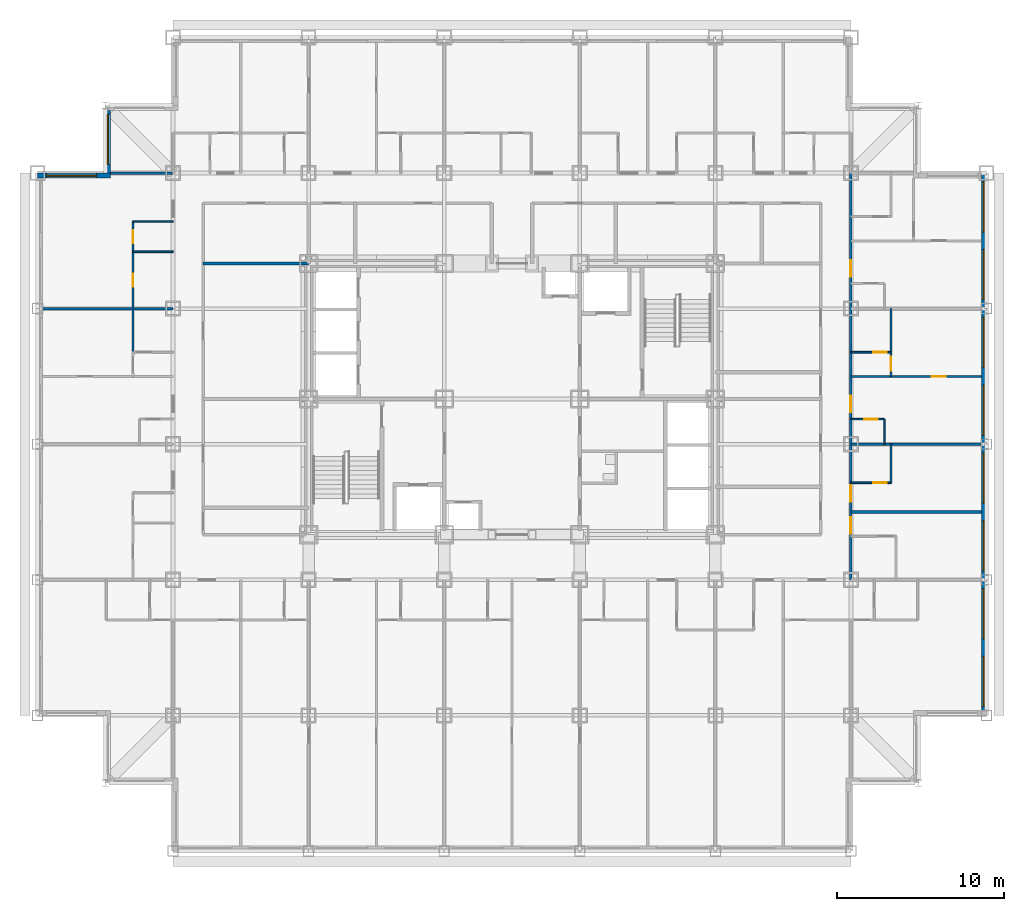
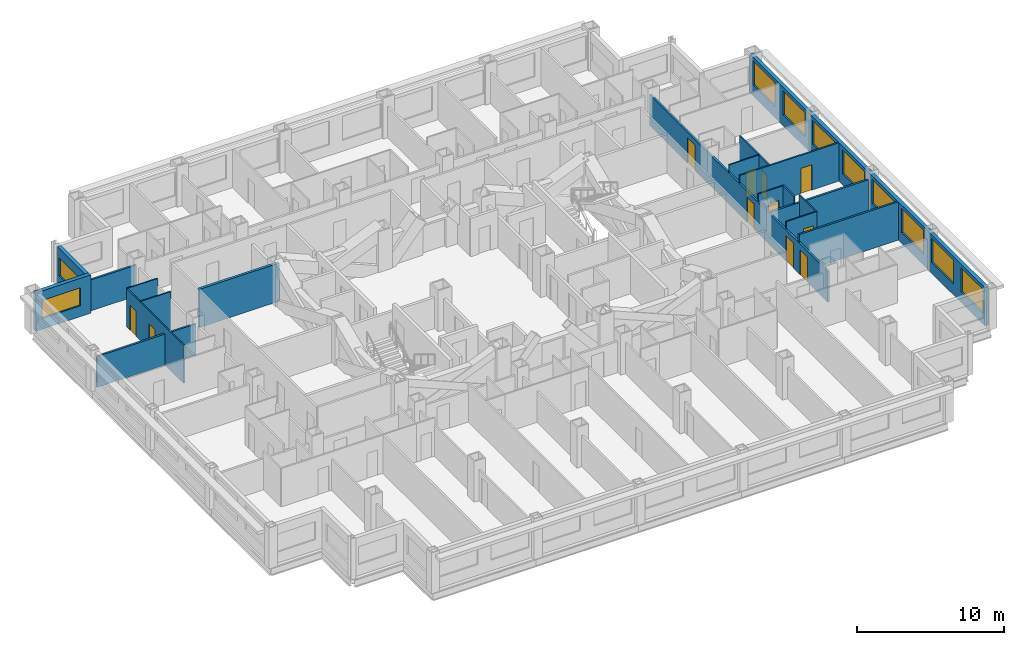
# One storey, part 8 of 14: 20 walls, 11 doors, 10 windows, 21 openings.
"""IFC4 building model written with IfcOpenShell, lengths in metres."""

from ifc_helpers import new_model, si_unit, direction, frame, frame_2d, origin, place, context, subcontext, project, spatial, rectangle, extrude, material, layer, layer_set, type_object, element, fill, save


model = new_model("IFC4")

# Units and contexts
model_context = context("Model", 3, precision=1e-05, world=origin(), true_north=direction((0.0, 1.0)))
body_context = subcontext(model_context, "Body", "Model", "MODEL_VIEW")
ifc_project = project(units=[si_unit("LENGTHUNIT", "METRE"), si_unit("AREAUNIT", "SQUARE_METRE"), si_unit("VOLUMEUNIT", "CUBIC_METRE"), si_unit("PLANEANGLEUNIT", "RADIAN"), si_unit("MASSUNIT", "GRAM", prefix="KILO")], contexts=[model_context])

# Site, building, storey
site_placement = place(None, origin())
site = spatial("IfcSite", under=ifc_project, at=site_placement, CompositionType="ELEMENT")
building_placement = place(site_placement, origin())
building = spatial("IfcBuilding", under=site, at=building_placement, Name="Kopane Lantern Tower", CompositionType="ELEMENT")
storey_placement = place(building_placement, frame((0.0, 0.0, 123.800048828125)))
storey = spatial("IfcBuildingStorey", under=building, at=storey_placement, Name="L31", CompositionType="ELEMENT", Elevation=123.800048828125)

# Wall, opening, door
ifc_material_1 = material(Name="Gypsum board on steel studs", Category="steel")
ifc_layer_1 = layer(ifc_material_1, 0.1201171875)
ifc_layer_set_1 = layer_set([ifc_layer_1], Name="APARTMENT INTERNAL WALL 120")
wall_type_1 = type_object("IfcWallType", Name="APARTMENT INTERNAL WALL 120", PredefinedType="PARTITIONING", material=ifc_layer_set_1)
wall_1_placement = place(storey_placement, frame((48.60009765625, 33.75, 0.0), z_axis=(0.0, 0.0, 1.0), x_axis=(1.0, 0.0, 0.0)))
wall_1 = element("IfcWall", 1, at=wall_1_placement, inside=storey, type_object=wall_type_1, Name="Apartment Internal Wall 120 L31", PredefinedType="PARTITIONING", context=body_context, shape_type="SweptSolid", body=[
    extrude(rectangle(XDim=7.7998046875, YDim=0.1201171875, at=frame_2d((3.89990234375, 0.0))), origin(), (0.0, 0.0, 1.0), 3.18994140625),
])
opening_1_placement = place(wall_1_placement, frame((4.824951171875, 0.0, 0.0)))
opening_1 = element("IfcOpeningElement", 2, at=opening_1_placement, cuts=wall_1, Name="Opening L31-060", PredefinedType="OPENING", context=body_context, shape_type="SweptSolid", body=[
    extrude(rectangle(XDim=0.85009765625, YDim=2.10009765625, at=frame_2d((0.425048828125, 1.050048828125))), frame((0.0, 0.070068359375, 0.0), z_axis=(0.0, -1.0, 0.0), x_axis=(1.0, 0.0, 0.0)), (0.0, 0.0, 1.0), 0.14013671875),
])
ifc_material_2 = material(Name="Timber door set", Category="wood")
door_type_1 = type_object("IfcDoorType", Name="DOOR D4 850x2100", OperationType="SINGLE_SWING_LEFT", PredefinedType="DOOR", material=ifc_material_2)
door_1_placement = place(opening_1_placement, origin())
door_1 = element("IfcDoor", 3, at=door_1_placement, inside=storey, type_object=door_type_1, Name="Door L31-060", OperationType="SINGLE_SWING_LEFT", OverallHeight=2.10009765625, OverallWidth=0.85009765625, PredefinedType="DOOR", context=body_context, shape_type="SweptSolid", body=[
    extrude(rectangle(XDim=0.85009765625, YDim=2.10009765625, at=frame_2d((0.425048828125, 1.050048828125))), frame((0.0, 0.02490234375, 0.0), z_axis=(0.0, -1.0, 0.0), x_axis=(1.0, 0.0, 0.0)), (0.0, 0.0, 1.0), 0.050048828125),
])
fill(opening_1, door_1)

wall_2_placement = place(storey_placement, frame((51.0, 35.2099609375, 0.0), z_axis=(0.0, 0.0, 1.0), x_axis=(0.0, -1.0, 0.0)))
wall_2 = element("IfcWall", 4, at=wall_2_placement, inside=storey, type_object=wall_type_1, Name="Apartment Internal Wall 120 L31", PredefinedType="PARTITIONING", context=body_context, shape_type="SweptSolid", body=[
    extrude(rectangle(XDim=1.4599609375, YDim=0.1201171875, at=frame_2d((0.72998046875, 0.0))), origin(), (0.0, 0.0, 1.0), 3.18994140625),
])
opening_2_placement = place(wall_2_placement, frame((0.27490234375, 0.0, 0.0)))
opening_2 = element("IfcOpeningElement", 5, at=opening_2_placement, cuts=wall_2, Name="Opening L31-086", PredefinedType="OPENING", context=body_context, shape_type="SweptSolid", body=[
    extrude(rectangle(XDim=0.85009765625, YDim=2.10009765625, at=frame_2d((0.425048828125, 1.050048828125))), frame((0.0, 0.070068359375, 0.0), z_axis=(0.0, -1.0, 0.0), x_axis=(1.0, 0.0, 0.0)), (0.0, 0.0, 1.0), 0.14013671875),
])
door_2_placement = place(opening_2_placement, origin())
door_2 = element("IfcDoor", 6, at=door_2_placement, inside=storey, type_object=door_type_1, Name="Door L31-086", OperationType="SINGLE_SWING_RIGHT", OverallHeight=2.10009765625, OverallWidth=0.85009765625, PredefinedType="DOOR", context=body_context, shape_type="SweptSolid", body=[
    extrude(rectangle(XDim=0.85009765625, YDim=2.10009765625, at=frame_2d((0.425048828125, 1.050048828125))), frame((0.0, 0.02490234375, 0.0), z_axis=(0.0, -1.0, 0.0), x_axis=(1.0, 0.0, 0.0)), (0.0, 0.0, 1.0), 0.050048828125),
])
fill(opening_2, door_2)

# Wall, openings, doors
ifc_material_3 = material(Name="Moisture-resistant board on steel studs", Category="steel")
ifc_layer_2 = layer(ifc_material_3, 0.10009765625)
ifc_layer_set_2 = layer_set([ifc_layer_2], Name="BATHROOM WALL 100")
wall_type_2 = type_object("IfcWallType", Name="BATHROOM WALL 100", PredefinedType="PARTITIONING", material=ifc_layer_set_2)
wall_3_placement = place(storey_placement, frame((5.699951171875, 35.199951171875, 0.0), z_axis=(0.0, 0.0, 1.0), x_axis=(0.0, 1.0, 0.0)))
wall_3 = element("IfcWall", 7, at=wall_3_placement, inside=storey, type_object=wall_type_2, Name="Bathroom Wall 100 L31", PredefinedType="PARTITIONING", context=body_context, shape_type="SweptSolid", body=[
    extrude(rectangle(XDim=7.800048828125, YDim=0.10009765625, at=frame_2d((3.89990234375, 0.0))), origin(), (0.0, 0.0, 1.0), 3.18994140625),
])
opening_3_placement = place(wall_3_placement, frame((3.89990234375, 0.0, 0.0)))
opening_3 = element("IfcOpeningElement", 8, at=opening_3_placement, cuts=wall_3, Name="Opening L31-050", PredefinedType="OPENING", context=body_context, shape_type="SweptSolid", body=[
    extrude(rectangle(XDim=0.800048828125, YDim=2.10009765625, at=frame_2d((0.39990234375, 1.050048828125))), frame((0.0, 0.06005859375, 0.0), z_axis=(0.0, -1.0, 0.0), x_axis=(1.0, 0.0, 0.0)), (0.0, 0.0, 1.0), 0.1201171875),
])
opening_4_placement = place(wall_3_placement, frame((6.5, 0.0, 0.0)))
opening_4 = element("IfcOpeningElement", 9, at=opening_4_placement, cuts=wall_3, Name="Opening L31-051", PredefinedType="OPENING", context=body_context, shape_type="SweptSolid", body=[
    extrude(rectangle(XDim=0.800048828125, YDim=2.10009765625, at=frame_2d((0.39990234375, 1.050048828125))), frame((0.0, 0.06005859375, 0.0), z_axis=(0.0, -1.0, 0.0), x_axis=(1.0, 0.0, 0.0)), (0.0, 0.0, 1.0), 0.1201171875),
])
ifc_material_4 = material(Name="Timber door set", Category="wood")
door_type_2 = type_object("IfcDoorType", Name="DOOR D2 800x2100", OperationType="SINGLE_SWING_LEFT", PredefinedType="DOOR", material=ifc_material_4)
door_3_placement = place(opening_3_placement, origin())
door_3 = element("IfcDoor", 10, at=door_3_placement, inside=storey, type_object=door_type_2, Name="Door L31-050", OperationType="SINGLE_SWING_LEFT", OverallHeight=2.10009765625, OverallWidth=0.800048828125, PredefinedType="DOOR", context=body_context, shape_type="SweptSolid", body=[
    extrude(rectangle(XDim=0.800048828125, YDim=2.10009765625, at=frame_2d((0.39990234375, 1.050048828125))), frame((0.0, 0.02490234375, 0.0), z_axis=(0.0, -1.0, 0.0), x_axis=(1.0, 0.0, 0.0)), (0.0, 0.0, 1.0), 0.050048828125),
])
fill(opening_3, door_3)
door_4_placement = place(opening_4_placement, origin())
door_4 = element("IfcDoor", 11, at=door_4_placement, inside=storey, type_object=door_type_2, Name="Door L31-051", OperationType="SINGLE_SWING_LEFT", OverallHeight=2.10009765625, OverallWidth=0.800048828125, PredefinedType="DOOR", context=body_context, shape_type="SweptSolid", body=[
    extrude(rectangle(XDim=0.800048828125, YDim=2.10009765625, at=frame_2d((0.39990234375, 1.050048828125))), frame((0.0, 0.02490234375, 0.0), z_axis=(0.0, -1.0, 0.0), x_axis=(1.0, 0.0, 0.0)), (0.0, 0.0, 1.0), 0.050048828125),
])
fill(opening_4, door_4)

# Walls
for number, where, z_axis, x_axis, name in (
    (12, (8.10009765625, 41.199951171875, 0.0), (0.0, 0.0, 1.0), (-1.0, 0.0, 0.0), "Bathroom Wall 100 L31"),
    (13, (8.10009765625, 43.0, 0.0), (0.0, 0.0, 1.0), (-1.0, 0.0, 0.0), "Bathroom Wall 100 L31"),
):
    element("IfcWall", number, at=place(storey_placement, frame(where, z_axis=z_axis, x_axis=x_axis)), inside=storey, type_object=wall_type_2, Name=name, PredefinedType="PARTITIONING", context=body_context, shape_type="SweptSolid", body=[
        extrude(rectangle(XDim=2.400146484375, YDim=0.10009765625, at=frame_2d((1.2001953125, 0.0))), origin(), (0.0, 0.0, 1.0), 3.18994140625),
    ])
wall_4_placement = place(storey_placement, frame((51.0, 27.39990234375, 0.0), z_axis=(0.0, 0.0, 1.0), x_axis=(0.0, 1.0, 0.0)))
element("IfcWall", 14, at=wall_4_placement, inside=storey, type_object=wall_type_2, Name="Bathroom Wall 100 L31", PredefinedType="PARTITIONING", context=body_context, shape_type="SweptSolid", body=[
    extrude(rectangle(XDim=2.300048828125, YDim=0.10009765625, at=frame_2d((1.14990234375, 0.0))), origin(), (0.0, 0.0, 1.0), 3.18994140625),
])

# Wall, opening, door
wall_5_placement = place(storey_placement, frame((48.60009765625, 27.39990234375, 0.0), z_axis=(0.0, 0.0, 1.0), x_axis=(1.0, 0.0, 0.0)))
wall_5 = element("IfcWall", 15, at=wall_5_placement, inside=storey, type_object=wall_type_2, Name="Bathroom Wall 100 L31", PredefinedType="PARTITIONING", context=body_context, shape_type="SweptSolid", body=[
    extrude(rectangle(XDim=2.39990234375, YDim=0.10009765625, at=frame_2d((1.199951171875, 0.0))), origin(), (0.0, 0.0, 1.0), 3.18994140625),
])
opening_5_placement = place(wall_5_placement, frame((1.35009765625, 0.0, 0.0)))
opening_5 = element("IfcOpeningElement", 16, at=opening_5_placement, cuts=wall_5, Name="Opening L31-055", PredefinedType="OPENING", context=body_context, shape_type="SweptSolid", body=[
    extrude(rectangle(XDim=0.800048828125, YDim=2.10009765625, at=frame_2d((0.39990234375, 1.050048828125))), frame((0.0, 0.06005859375, 0.0), z_axis=(0.0, -1.0, 0.0), x_axis=(1.0, 0.0, 0.0)), (0.0, 0.0, 1.0), 0.1201171875),
])
door_5_placement = place(opening_5_placement, origin())
door_5 = element("IfcDoor", 17, at=door_5_placement, inside=storey, type_object=door_type_2, Name="Door L31-055", OperationType="SINGLE_SWING_RIGHT", OverallHeight=2.10009765625, OverallWidth=0.800048828125, PredefinedType="DOOR", context=body_context, shape_type="SweptSolid", body=[
    extrude(rectangle(XDim=0.800048828125, YDim=2.10009765625, at=frame_2d((0.39990234375, 1.050048828125))), frame((0.0, 0.02490234375, 0.0), z_axis=(0.0, -1.0, 0.0), x_axis=(1.0, 0.0, 0.0)), (0.0, 0.0, 1.0), 0.050048828125),
])
fill(opening_5, door_5)

# Wall
wall_6_placement = place(storey_placement, frame((50.60009765625, 29.699951171875, 0.0), z_axis=(0.0, 0.0, 1.0), x_axis=(0.0, 1.0, 0.0)))
element("IfcWall", 18, at=wall_6_placement, inside=storey, type_object=wall_type_2, Name="Bathroom Wall 100 L31", PredefinedType="PARTITIONING", context=body_context, shape_type="SweptSolid", body=[
    extrude(rectangle(XDim=1.5, YDim=0.10009765625, at=frame_2d((0.75, 0.0))), origin(), (0.0, 0.0, 1.0), 3.18994140625),
])

# Wall, opening, door
wall_7_placement = place(storey_placement, frame((48.60009765625, 31.199951171875, 0.0), z_axis=(0.0, 0.0, 1.0), x_axis=(1.0, 0.0, 0.0)))
wall_7 = element("IfcWall", 19, at=wall_7_placement, inside=storey, type_object=wall_type_2, Name="Bathroom Wall 100 L31", PredefinedType="PARTITIONING", context=body_context, shape_type="SweptSolid", body=[
    extrude(rectangle(XDim=2.0, YDim=0.10009765625, at=frame_2d((1.0, 0.0))), origin(), (0.0, 0.0, 1.0), 3.18994140625),
])
opening_6_placement = place(wall_7_placement, frame((0.800048828125, 0.0, 0.0)))
opening_6 = element("IfcOpeningElement", 20, at=opening_6_placement, cuts=wall_7, Name="Opening L31-057", PredefinedType="OPENING", context=body_context, shape_type="SweptSolid", body=[
    extrude(rectangle(XDim=0.800048828125, YDim=2.10009765625, at=frame_2d((0.39990234375, 1.050048828125))), frame((0.0, 0.06005859375, 0.0), z_axis=(0.0, -1.0, 0.0), x_axis=(1.0, 0.0, 0.0)), (0.0, 0.0, 1.0), 0.1201171875),
])
door_6_placement = place(opening_6_placement, origin())
door_6 = element("IfcDoor", 21, at=door_6_placement, inside=storey, type_object=door_type_2, Name="Door L31-057", OperationType="SINGLE_SWING_LEFT", OverallHeight=2.10009765625, OverallWidth=0.800048828125, PredefinedType="DOOR", context=body_context, shape_type="SweptSolid", body=[
    extrude(rectangle(XDim=0.800048828125, YDim=2.10009765625, at=frame_2d((0.39990234375, 1.050048828125))), frame((0.0, 0.02490234375, 0.0), z_axis=(0.0, -1.0, 0.0), x_axis=(1.0, 0.0, 0.0)), (0.0, 0.0, 1.0), 0.050048828125),
])
fill(opening_6, door_6)

# Wall
wall_8_placement = place(storey_placement, frame((51.0, 35.199951171875, 0.0), z_axis=(0.0, 0.0, 1.0), x_axis=(0.0, 1.0, 0.0)))
element("IfcWall", 22, at=wall_8_placement, inside=storey, type_object=wall_type_2, Name="Bathroom Wall 100 L31", PredefinedType="PARTITIONING", context=body_context, shape_type="SweptSolid", body=[
    extrude(rectangle(XDim=2.60009765625, YDim=0.10009765625, at=frame_2d((1.300048828125, 0.0))), origin(), (0.0, 0.0, 1.0), 3.18994140625),
])

# Wall, opening, door
wall_9_placement = place(storey_placement, frame((48.60009765625, 35.199951171875, 0.0), z_axis=(0.0, 0.0, 1.0), x_axis=(1.0, 0.0, 0.0)))
wall_9 = element("IfcWall", 23, at=wall_9_placement, inside=storey, type_object=wall_type_2, Name="Bathroom Wall 100 L31", PredefinedType="PARTITIONING", context=body_context, shape_type="SweptSolid", body=[
    extrude(rectangle(XDim=2.39990234375, YDim=0.10009765625, at=frame_2d((1.199951171875, 0.0))), origin(), (0.0, 0.0, 1.0), 3.18994140625),
])
opening_7_placement = place(wall_9_placement, frame((1.35009765625, 0.0, 0.0)))
opening_7 = element("IfcOpeningElement", 24, at=opening_7_placement, cuts=wall_9, Name="Opening L31-059", PredefinedType="OPENING", context=body_context, shape_type="SweptSolid", body=[
    extrude(rectangle(XDim=0.800048828125, YDim=2.10009765625, at=frame_2d((0.39990234375, 1.050048828125))), frame((0.0, 0.06005859375, 0.0), z_axis=(0.0, -1.0, 0.0), x_axis=(1.0, 0.0, 0.0)), (0.0, 0.0, 1.0), 0.1201171875),
])
door_7_placement = place(opening_7_placement, origin())
door_7 = element("IfcDoor", 25, at=door_7_placement, inside=storey, type_object=door_type_2, Name="Door L31-059", OperationType="SINGLE_SWING_LEFT", OverallHeight=2.10009765625, OverallWidth=0.800048828125, PredefinedType="DOOR", context=body_context, shape_type="SweptSolid", body=[
    extrude(rectangle(XDim=0.800048828125, YDim=2.10009765625, at=frame_2d((0.39990234375, 1.050048828125))), frame((0.0, 0.02490234375, 0.0), z_axis=(0.0, -1.0, 0.0), x_axis=(1.0, 0.0, 0.0)), (0.0, 0.0, 1.0), 0.050048828125),
])
fill(opening_7, door_7)

# Wall, openings, doors
ifc_material_5 = material(Name="Gypsum board on steel studs", Category="steel")
ifc_layer_3 = layer(ifc_material_5, 0.14990234375)
ifc_layer_set_3 = layer_set([ifc_layer_3], Name="CORRIDOR WALL 150 EI 60")
wall_type_3 = type_object("IfcWallType", Name="CORRIDOR WALL 150 EI 60", PredefinedType="PARTITIONING", material=ifc_layer_set_3)
wall_10_placement = place(storey_placement, frame((48.60009765625, 21.60009765625, 0.0), z_axis=(0.0, 0.0, 1.0), x_axis=(0.0, 1.0, 0.0)))
wall_10 = element("IfcWall", 26, at=wall_10_placement, inside=storey, type_object=wall_type_3, Name="Corridor Wall 150 Ei 60 L31", PredefinedType="PARTITIONING", context=body_context, shape_type="SweptSolid", body=[
    extrude(rectangle(XDim=24.2998046875, YDim=0.14990234375, at=frame_2d((12.14990234375, 0.0))), origin(), (0.0, 0.0, 1.0), 2.57763671875),
])
opening_8_placement = place(wall_10_placement, frame((2.75, 0.0, 0.0)))
opening_8 = element("IfcOpeningElement", 27, at=opening_8_placement, cuts=wall_10, Name="Opening L31-054", PredefinedType="OPENING", context=body_context, shape_type="SweptSolid", body=[
    extrude(rectangle(XDim=1.0, YDim=2.10009765625, at=frame_2d((0.5, 1.050048828125))), frame((0.0, 0.0849609375, 0.0), z_axis=(0.0, -1.0, 0.0), x_axis=(1.0, 0.0, 0.0)), (0.0, 0.0, 1.0), 0.169921875),
])
opening_9_placement = place(wall_10_placement, frame((4.64990234375, 0.0, 0.0)))
opening_9 = element("IfcOpeningElement", 28, at=opening_9_placement, cuts=wall_10, Name="Opening L31-056", PredefinedType="OPENING", context=body_context, shape_type="SweptSolid", body=[
    extrude(rectangle(XDim=1.0, YDim=2.10009765625, at=frame_2d((0.5, 1.050048828125))), frame((0.0, 0.0849609375, 0.0), z_axis=(0.0, -1.0, 0.0), x_axis=(1.0, 0.0, 0.0)), (0.0, 0.0, 1.0), 0.169921875),
])
opening_10_placement = place(wall_10_placement, frame((10.0, 0.0, 0.0)))
opening_10 = element("IfcOpeningElement", 29, at=opening_10_placement, cuts=wall_10, Name="Opening L31-058", PredefinedType="OPENING", context=body_context, shape_type="SweptSolid", body=[
    extrude(rectangle(XDim=1.0, YDim=2.10009765625, at=frame_2d((0.5, 1.050048828125))), frame((0.0, 0.0849609375, 0.0), z_axis=(0.0, -1.0, 0.0), x_axis=(1.0, 0.0, 0.0)), (0.0, 0.0, 1.0), 0.169921875),
])
opening_11_placement = place(wall_10_placement, frame((18.10009765625, 0.0, 0.0)))
opening_11 = element("IfcOpeningElement", 30, at=opening_11_placement, cuts=wall_10, Name="Opening L31-062", PredefinedType="OPENING", context=body_context, shape_type="SweptSolid", body=[
    extrude(rectangle(XDim=1.0, YDim=2.10009765625, at=frame_2d((0.5, 1.050048828125))), frame((0.0, 0.0849609375, 0.0), z_axis=(0.0, -1.0, 0.0), x_axis=(1.0, 0.0, 0.0)), (0.0, 0.0, 1.0), 0.169921875),
])
ifc_material_6 = material(Name="Steel door set", Category="steel")
door_type_3 = type_object("IfcDoorType", Name="DOOR D1 1000x2100 FD30S", OperationType="SINGLE_SWING_LEFT", PredefinedType="DOOR", material=ifc_material_6)
door_8_placement = place(opening_8_placement, origin())
door_8 = element("IfcDoor", 31, at=door_8_placement, inside=storey, type_object=door_type_3, Name="Door L31-054", OperationType="SINGLE_SWING_RIGHT", OverallHeight=2.10009765625, OverallWidth=1.0, PredefinedType="DOOR", context=body_context, shape_type="SweptSolid", body=[
    extrude(rectangle(XDim=1.0, YDim=2.10009765625, at=frame_2d((0.5, 1.050048828125))), frame((0.0, 0.02490234375, 0.0), z_axis=(0.0, -1.0, 0.0), x_axis=(1.0, 0.0, 0.0)), (0.0, 0.0, 1.0), 0.050048828125),
])
fill(opening_8, door_8)
door_9_placement = place(opening_9_placement, origin())
door_9 = element("IfcDoor", 32, at=door_9_placement, inside=storey, type_object=door_type_3, Name="Door L31-056", OperationType="SINGLE_SWING_LEFT", OverallHeight=2.10009765625, OverallWidth=1.0, PredefinedType="DOOR", context=body_context, shape_type="SweptSolid", body=[
    extrude(rectangle(XDim=1.0, YDim=2.10009765625, at=frame_2d((0.5, 1.050048828125))), frame((0.0, 0.02490234375, 0.0), z_axis=(0.0, -1.0, 0.0), x_axis=(1.0, 0.0, 0.0)), (0.0, 0.0, 1.0), 0.050048828125),
])
fill(opening_9, door_9)
door_10_placement = place(opening_10_placement, origin())
door_10 = element("IfcDoor", 33, at=door_10_placement, inside=storey, type_object=door_type_3, Name="Door L31-058", OperationType="SINGLE_SWING_RIGHT", OverallHeight=2.10009765625, OverallWidth=1.0, PredefinedType="DOOR", context=body_context, shape_type="SweptSolid", body=[
    extrude(rectangle(XDim=1.0, YDim=2.10009765625, at=frame_2d((0.5, 1.050048828125))), frame((0.0, 0.02490234375, 0.0), z_axis=(0.0, -1.0, 0.0), x_axis=(1.0, 0.0, 0.0)), (0.0, 0.0, 1.0), 0.050048828125),
])
fill(opening_10, door_10)
door_11_placement = place(opening_11_placement, origin())
door_11 = element("IfcDoor", 34, at=door_11_placement, inside=storey, type_object=door_type_3, Name="Door L31-062", OperationType="SINGLE_SWING_RIGHT", OverallHeight=2.10009765625, OverallWidth=1.0, PredefinedType="DOOR", context=body_context, shape_type="SweptSolid", body=[
    extrude(rectangle(XDim=1.0, YDim=2.10009765625, at=frame_2d((0.5, 1.050048828125))), frame((0.0, 0.02490234375, 0.0), z_axis=(0.0, -1.0, 0.0), x_axis=(1.0, 0.0, 0.0)), (0.0, 0.0, 1.0), 0.050048828125),
])
fill(opening_11, door_11)

# Walls
ifc_material_7 = material(Name="Gypsum board on steel studs", Category="steel")
ifc_layer_4 = layer(ifc_material_7, 0.14990234375)
ifc_layer_set_4 = layer_set([ifc_layer_4], Name="DEMISING WALL 150 EI 60")
wall_type_4 = type_object("IfcWallType", Name="DEMISING WALL 150 EI 60", PredefinedType="PARTITIONING", material=ifc_layer_set_4)
wall_11_placement = place(storey_placement, frame((8.10009765625, 37.800048828125, 0.0), z_axis=(0.0, 0.0, 1.0), x_axis=(-1.0, 0.0, 0.0)))
element("IfcWall", 35, at=wall_11_placement, inside=storey, type_object=wall_type_4, Name="Demising Wall 150 Ei 60 L31", PredefinedType="PARTITIONING", context=body_context, shape_type="SweptSolid", body=[
    extrude(rectangle(XDim=7.800048828125, YDim=0.14990234375, at=frame_2d((3.89990234375, 0.0))), origin(), (0.0, 0.0, 1.0), 2.57763671875),
])
wall_12_placement = place(storey_placement, frame((48.60009765625, 25.64990234375, 0.0), z_axis=(0.0, 0.0, 1.0), x_axis=(1.0, 0.0, 0.0)))
element("IfcWall", 36, at=wall_12_placement, inside=storey, type_object=wall_type_4, Name="Demising Wall 150 Ei 60 L31", PredefinedType="PARTITIONING", context=body_context, shape_type="SweptSolid", body=[
    extrude(rectangle(XDim=7.7998046875, YDim=0.14990234375, at=frame_2d((3.89990234375, 0.0))), origin(), (0.0, 0.0, 1.0), 3.18994140625),
])
wall_13_placement = place(storey_placement, frame((48.60009765625, 29.699951171875, 0.0), z_axis=(0.0, 0.0, 1.0), x_axis=(1.0, 0.0, 0.0)))
element("IfcWall", 37, at=wall_13_placement, inside=storey, type_object=wall_type_4, Name="Demising Wall 150 Ei 60 L31", PredefinedType="PARTITIONING", context=body_context, shape_type="SweptSolid", body=[
    extrude(rectangle(XDim=7.7998046875, YDim=0.14990234375, at=frame_2d((3.89990234375, 0.0))), origin(), (0.0, 0.0, 1.0), 2.57763671875),
])
wall_14_placement = place(storey_placement, frame((4.35009765625, 45.89990234375, 0.0), z_axis=(0.0, 0.0, 1.0), x_axis=(1.0, 0.0, 0.0)))
element("IfcWall", 38, at=wall_14_placement, inside=storey, type_object=wall_type_4, Name="Demising Wall 150 Ei 60 L31", PredefinedType="PARTITIONING", context=body_context, shape_type="SweptSolid", body=[
    extrude(rectangle(XDim=3.75, YDim=0.14990234375, at=frame_2d((1.875, 0.0))), origin(), (0.0, 0.0, 1.0), 2.57763671875),
])

# Wall, openings, windows
ifc_material_8 = material(Name="Terracotta rainscreen on light steel framing", Category="masonry")
ifc_layer_5 = layer(ifc_material_8, 0.300048828125)
ifc_layer_set_5 = layer_set([ifc_layer_5], Name="EXTERNAL WALL EW1 300 TERRACOTTA")
wall_type_5 = type_object("IfcWallType", Name="EXTERNAL WALL EW1 300 TERRACOTTA", PredefinedType="SOLIDWALL", material=ifc_layer_set_5)
wall_15_placement = place(storey_placement, frame((56.550048828125, 13.800048828125, 0.0), z_axis=(0.0, 0.0, 1.0), x_axis=(0.0, 1.0, 0.0)))
wall_15 = element("IfcWall", 39, at=wall_15_placement, inside=storey, type_object=wall_type_5, Name="External wall E L31", PredefinedType="SOLIDWALL", context=body_context, shape_type="SweptSolid", body=[
    extrude(rectangle(XDim=32.099853515625, YDim=0.300048828125, at=frame_2d((16.0498046875, 0.0))), origin(), (0.0, 0.0, 1.0), 3.18994140625),
])
opening_12_placement = place(wall_15_placement, frame((0.22509765625, 0.0, 0.89990234375)))
opening_12 = element("IfcOpeningElement", 40, at=opening_12_placement, cuts=wall_15, Name="Opening WR300200", PredefinedType="OPENING", context=body_context, shape_type="SweptSolid", body=[
    extrude(rectangle(XDim=3.0, YDim=2.0, at=frame_2d((1.5, 1.0))), frame((0.0, 0.159912109375, 0.0), z_axis=(0.0, -1.0, 0.0), x_axis=(1.0, 0.0, 0.0)), (0.0, 0.0, 1.0), 0.320068359375),
])
opening_13_placement = place(wall_15_placement, frame((4.27490234375, 0.0, 0.89990234375)))
opening_13 = element("IfcOpeningElement", 41, at=opening_13_placement, cuts=wall_15, Name="Opening WR300200", PredefinedType="OPENING", context=body_context, shape_type="SweptSolid", body=[
    extrude(rectangle(XDim=3.0, YDim=2.0, at=frame_2d((1.5, 1.0))), frame((0.0, 0.159912109375, 0.0), z_axis=(0.0, -1.0, 0.0), x_axis=(1.0, 0.0, 0.0)), (0.0, 0.0, 1.0), 0.320068359375),
])
opening_14_placement = place(wall_15_placement, frame((8.324951171875, 0.0, 0.89990234375)))
opening_14 = element("IfcOpeningElement", 42, at=opening_14_placement, cuts=wall_15, Name="Opening WR300200", PredefinedType="OPENING", context=body_context, shape_type="SweptSolid", body=[
    extrude(rectangle(XDim=3.0, YDim=2.0, at=frame_2d((1.5, 1.0))), frame((0.0, 0.159912109375, 0.0), z_axis=(0.0, -1.0, 0.0), x_axis=(1.0, 0.0, 0.0)), (0.0, 0.0, 1.0), 0.320068359375),
])
opening_15_placement = place(wall_15_placement, frame((12.375, 0.0, 0.89990234375)))
opening_15 = element("IfcOpeningElement", 43, at=opening_15_placement, cuts=wall_15, Name="Opening WR300200", PredefinedType="OPENING", context=body_context, shape_type="SweptSolid", body=[
    extrude(rectangle(XDim=3.0, YDim=2.0, at=frame_2d((1.5, 1.0))), frame((0.0, 0.159912109375, 0.0), z_axis=(0.0, -1.0, 0.0), x_axis=(1.0, 0.0, 0.0)), (0.0, 0.0, 1.0), 0.320068359375),
])
opening_16_placement = place(wall_15_placement, frame((16.425048828125, 0.0, 0.89990234375)))
opening_16 = element("IfcOpeningElement", 44, at=opening_16_placement, cuts=wall_15, Name="Opening WR300200", PredefinedType="OPENING", context=body_context, shape_type="SweptSolid", body=[
    extrude(rectangle(XDim=3.0, YDim=2.0, at=frame_2d((1.5, 1.0))), frame((0.0, 0.159912109375, 0.0), z_axis=(0.0, -1.0, 0.0), x_axis=(1.0, 0.0, 0.0)), (0.0, 0.0, 1.0), 0.320068359375),
])
opening_17_placement = place(wall_15_placement, frame((20.47509765625, 0.0, 0.89990234375)))
opening_17 = element("IfcOpeningElement", 45, at=opening_17_placement, cuts=wall_15, Name="Opening WR300200", PredefinedType="OPENING", context=body_context, shape_type="SweptSolid", body=[
    extrude(rectangle(XDim=3.0, YDim=2.0, at=frame_2d((1.5, 1.0))), frame((0.0, 0.159912109375, 0.0), z_axis=(0.0, -1.0, 0.0), x_axis=(1.0, 0.0, 0.0)), (0.0, 0.0, 1.0), 0.320068359375),
])
opening_18_placement = place(wall_15_placement, frame((24.52490234375, 0.0, 0.89990234375)))
opening_18 = element("IfcOpeningElement", 46, at=opening_18_placement, cuts=wall_15, Name="Opening WR300200", PredefinedType="OPENING", context=body_context, shape_type="SweptSolid", body=[
    extrude(rectangle(XDim=3.0, YDim=2.0, at=frame_2d((1.5, 1.0))), frame((0.0, 0.159912109375, 0.0), z_axis=(0.0, -1.0, 0.0), x_axis=(1.0, 0.0, 0.0)), (0.0, 0.0, 1.0), 0.320068359375),
])
opening_19_placement = place(wall_15_placement, frame((28.574951171875, 0.0, 0.89990234375)))
opening_19 = element("IfcOpeningElement", 47, at=opening_19_placement, cuts=wall_15, Name="Opening WR300200", PredefinedType="OPENING", context=body_context, shape_type="SweptSolid", body=[
    extrude(rectangle(XDim=3.0, YDim=2.0, at=frame_2d((1.5, 1.0))), frame((0.0, 0.159912109375, 0.0), z_axis=(0.0, -1.0, 0.0), x_axis=(1.0, 0.0, 0.0)), (0.0, 0.0, 1.0), 0.320068359375),
])
ifc_material_9 = material(Name="Aluminium and clear glass", Category="aluminium")
window_type_1 = type_object("IfcWindowType", Name="RIBBON WINDOW WR300200 3000x2000", PartitioningType="SINGLE_PANEL", PredefinedType="WINDOW", material=ifc_material_9)
window_1_placement = place(opening_12_placement, origin())
window_1 = element("IfcWindow", 48, at=window_1_placement, inside=storey, type_object=window_type_1, Name="Window E L31", OverallHeight=2.0, OverallWidth=3.0, PartitioningType="SINGLE_PANEL", PredefinedType="WINDOW", context=body_context, shape_type="SweptSolid", body=[
    extrude(rectangle(XDim=3.0, YDim=2.0, at=frame_2d((1.5, 1.0))), frame((0.0, 0.030029296875, 0.0), z_axis=(0.0, -1.0, 0.0), x_axis=(1.0, 0.0, 0.0)), (0.0, 0.0, 1.0), 0.06005859375),
])
fill(opening_12, window_1)
window_2_placement = place(opening_13_placement, origin())
window_2 = element("IfcWindow", 49, at=window_2_placement, inside=storey, type_object=window_type_1, Name="Window E L31", OverallHeight=2.0, OverallWidth=3.0, PartitioningType="SINGLE_PANEL", PredefinedType="WINDOW", context=body_context, shape_type="SweptSolid", body=[
    extrude(rectangle(XDim=3.0, YDim=2.0, at=frame_2d((1.5, 1.0))), frame((0.0, 0.030029296875, 0.0), z_axis=(0.0, -1.0, 0.0), x_axis=(1.0, 0.0, 0.0)), (0.0, 0.0, 1.0), 0.06005859375),
])
fill(opening_13, window_2)
window_3_placement = place(opening_14_placement, origin())
window_3 = element("IfcWindow", 50, at=window_3_placement, inside=storey, type_object=window_type_1, Name="Window E L31", OverallHeight=2.0, OverallWidth=3.0, PartitioningType="SINGLE_PANEL", PredefinedType="WINDOW", context=body_context, shape_type="SweptSolid", body=[
    extrude(rectangle(XDim=3.0, YDim=2.0, at=frame_2d((1.5, 1.0))), frame((0.0, 0.030029296875, 0.0), z_axis=(0.0, -1.0, 0.0), x_axis=(1.0, 0.0, 0.0)), (0.0, 0.0, 1.0), 0.06005859375),
])
fill(opening_14, window_3)
window_4_placement = place(opening_15_placement, origin())
window_4 = element("IfcWindow", 51, at=window_4_placement, inside=storey, type_object=window_type_1, Name="Window E L31", OverallHeight=2.0, OverallWidth=3.0, PartitioningType="SINGLE_PANEL", PredefinedType="WINDOW", context=body_context, shape_type="SweptSolid", body=[
    extrude(rectangle(XDim=3.0, YDim=2.0, at=frame_2d((1.5, 1.0))), frame((0.0, 0.030029296875, 0.0), z_axis=(0.0, -1.0, 0.0), x_axis=(1.0, 0.0, 0.0)), (0.0, 0.0, 1.0), 0.06005859375),
])
fill(opening_15, window_4)
window_5_placement = place(opening_16_placement, origin())
window_5 = element("IfcWindow", 52, at=window_5_placement, inside=storey, type_object=window_type_1, Name="Window E L31", OverallHeight=2.0, OverallWidth=3.0, PartitioningType="SINGLE_PANEL", PredefinedType="WINDOW", context=body_context, shape_type="SweptSolid", body=[
    extrude(rectangle(XDim=3.0, YDim=2.0, at=frame_2d((1.5, 1.0))), frame((0.0, 0.030029296875, 0.0), z_axis=(0.0, -1.0, 0.0), x_axis=(1.0, 0.0, 0.0)), (0.0, 0.0, 1.0), 0.06005859375),
])
fill(opening_16, window_5)
window_6_placement = place(opening_17_placement, origin())
window_6 = element("IfcWindow", 53, at=window_6_placement, inside=storey, type_object=window_type_1, Name="Window E L31", OverallHeight=2.0, OverallWidth=3.0, PartitioningType="SINGLE_PANEL", PredefinedType="WINDOW", context=body_context, shape_type="SweptSolid", body=[
    extrude(rectangle(XDim=3.0, YDim=2.0, at=frame_2d((1.5, 1.0))), frame((0.0, 0.030029296875, 0.0), z_axis=(0.0, -1.0, 0.0), x_axis=(1.0, 0.0, 0.0)), (0.0, 0.0, 1.0), 0.06005859375),
])
fill(opening_17, window_6)
window_7_placement = place(opening_18_placement, origin())
window_7 = element("IfcWindow", 54, at=window_7_placement, inside=storey, type_object=window_type_1, Name="Window E L31", OverallHeight=2.0, OverallWidth=3.0, PartitioningType="SINGLE_PANEL", PredefinedType="WINDOW", context=body_context, shape_type="SweptSolid", body=[
    extrude(rectangle(XDim=3.0, YDim=2.0, at=frame_2d((1.5, 1.0))), frame((0.0, 0.030029296875, 0.0), z_axis=(0.0, -1.0, 0.0), x_axis=(1.0, 0.0, 0.0)), (0.0, 0.0, 1.0), 0.06005859375),
])
fill(opening_18, window_7)
window_8_placement = place(opening_19_placement, origin())
window_8 = element("IfcWindow", 55, at=window_8_placement, inside=storey, type_object=window_type_1, Name="Window E L31", OverallHeight=2.0, OverallWidth=3.0, PartitioningType="SINGLE_PANEL", PredefinedType="WINDOW", context=body_context, shape_type="SweptSolid", body=[
    extrude(rectangle(XDim=3.0, YDim=2.0, at=frame_2d((1.5, 1.0))), frame((0.0, 0.030029296875, 0.0), z_axis=(0.0, -1.0, 0.0), x_axis=(1.0, 0.0, 0.0)), (0.0, 0.0, 1.0), 0.06005859375),
])
fill(opening_19, window_8)

# Wall, opening, window
wall_16_placement = place(storey_placement, frame((4.199951171875, 49.64990234375, 0.0), z_axis=(0.0, 0.0, 1.0), x_axis=(0.0, -1.0, 0.0)))
wall_16 = element("IfcWall", 56, at=wall_16_placement, inside=storey, type_object=wall_type_5, Name="External wall W L31", PredefinedType="SOLIDWALL", context=body_context, shape_type="SweptSolid", body=[
    extrude(rectangle(XDim=3.75, YDim=0.300048828125, at=frame_2d((1.875, 0.0))), origin(), (0.0, 0.0, 1.0), 3.18994140625),
])
opening_20_placement = place(wall_16_placement, frame((0.22509765625, 0.0, 0.89990234375)))
opening_20 = element("IfcOpeningElement", 57, at=opening_20_placement, cuts=wall_16, Name="Opening WR300150", PredefinedType="OPENING", context=body_context, shape_type="SweptSolid", body=[
    extrude(rectangle(XDim=3.0, YDim=1.5, at=frame_2d((1.5, 0.75))), frame((0.0, 0.159912109375, 0.0), z_axis=(0.0, -1.0, 0.0), x_axis=(1.0, 0.0, 0.0)), (0.0, 0.0, 1.0), 0.320068359375),
])
ifc_material_10 = material(Name="Aluminium and clear glass", Category="aluminium")
window_type_2 = type_object("IfcWindowType", Name="RIBBON WINDOW WR300150 3000x1500", PartitioningType="SINGLE_PANEL", PredefinedType="WINDOW", material=ifc_material_10)
window_9_placement = place(opening_20_placement, origin())
window_9 = element("IfcWindow", 58, at=window_9_placement, inside=storey, type_object=window_type_2, Name="Window W L31", OverallHeight=1.5, OverallWidth=3.0, PartitioningType="SINGLE_PANEL", PredefinedType="WINDOW", context=body_context, shape_type="SweptSolid", body=[
    extrude(rectangle(XDim=3.0, YDim=1.5, at=frame_2d((1.5, 0.75))), frame((0.0, 0.030029296875, 0.0), z_axis=(0.0, -1.0, 0.0), x_axis=(1.0, 0.0, 0.0)), (0.0, 0.0, 1.0), 0.06005859375),
])
fill(opening_20, window_9)

wall_17_placement = place(storey_placement, frame((4.35009765625, 45.75, 0.0), z_axis=(0.0, 0.0, 1.0), x_axis=(-1.0, 0.0, 0.0)))
wall_17 = element("IfcWall", 59, at=wall_17_placement, inside=storey, type_object=wall_type_5, Name="External wall N L31", PredefinedType="SOLIDWALL", context=body_context, shape_type="SweptSolid", body=[
    extrude(rectangle(XDim=4.35009765625, YDim=0.300048828125, at=frame_2d((2.175048828125, 0.0))), origin(), (0.0, 0.0, 1.0), 3.18994140625),
])
opening_21_placement = place(wall_17_placement, frame((0.824951171875, 0.0, 0.89990234375)))
opening_21 = element("IfcOpeningElement", 60, at=opening_21_placement, cuts=wall_17, Name="Opening WR300150", PredefinedType="OPENING", context=body_context, shape_type="SweptSolid", body=[
    extrude(rectangle(XDim=3.0, YDim=1.5, at=frame_2d((1.5, 0.75))), frame((0.0, 0.159912109375, 0.0), z_axis=(0.0, -1.0, 0.0), x_axis=(1.0, 0.0, 0.0)), (0.0, 0.0, 1.0), 0.320068359375),
])
window_10_placement = place(opening_21_placement, origin())
window_10 = element("IfcWindow", 61, at=window_10_placement, inside=storey, type_object=window_type_2, Name="Window N L31", OverallHeight=1.5, OverallWidth=3.0, PartitioningType="SINGLE_PANEL", PredefinedType="WINDOW", context=body_context, shape_type="SweptSolid", body=[
    extrude(rectangle(XDim=3.0, YDim=1.5, at=frame_2d((1.5, 0.75))), frame((0.0, 0.030029296875, 0.0), z_axis=(0.0, -1.0, 0.0), x_axis=(1.0, 0.0, 0.0)), (0.0, 0.0, 1.0), 0.06005859375),
])
fill(opening_21, window_10)

# Wall
ifc_material_11 = material(Name="Concrete masonry", Category="masonry")
ifc_layer_6 = layer(ifc_material_11, 0.199951171875)
ifc_layer_set_6 = layer_set([ifc_layer_6], Name="PLANT ROOM WALL 200 EI 120")
wall_type_6 = type_object("IfcWallType", Name="PLANT ROOM WALL 200 EI 120", PredefinedType="SOLIDWALL", material=ifc_layer_set_6)
wall_18_placement = place(storey_placement, frame((9.89990234375, 40.5, 0.0), z_axis=(0.0, 0.0, 1.0), x_axis=(1.0, 0.0, 0.0)))
element("IfcWall", 62, at=wall_18_placement, inside=storey, type_object=wall_type_6, Name="Plant Room Wall 200 Ei 120 L31", PredefinedType="SOLIDWALL", context=body_context, shape_type="SweptSolid", body=[
    extrude(rectangle(XDim=6.300048828125, YDim=0.199951171875, at=frame_2d((3.14990234375, 0.0))), origin(), (0.0, 0.0, 1.0), 3.18994140625),
])

save(model, "model.ifc")
